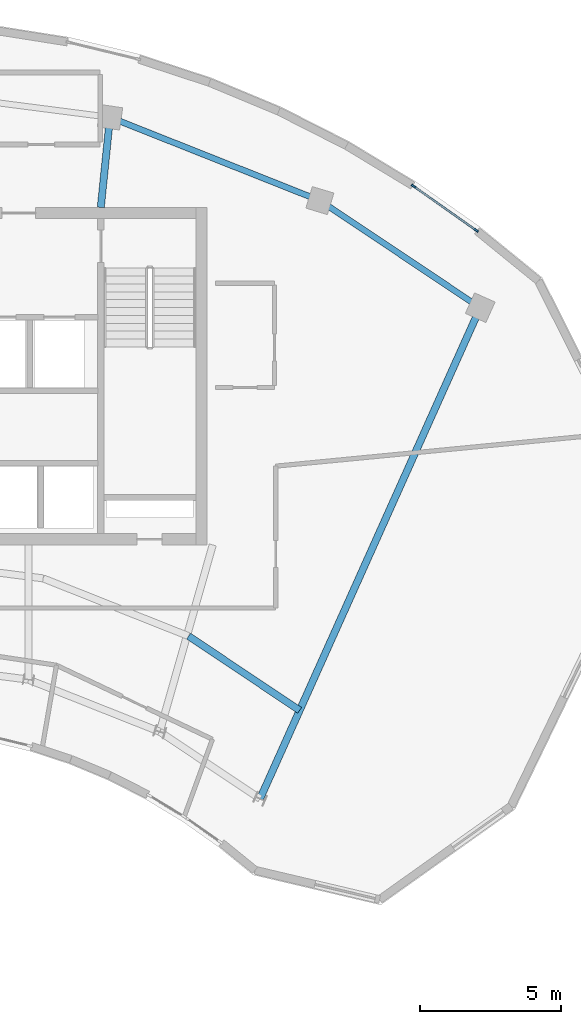
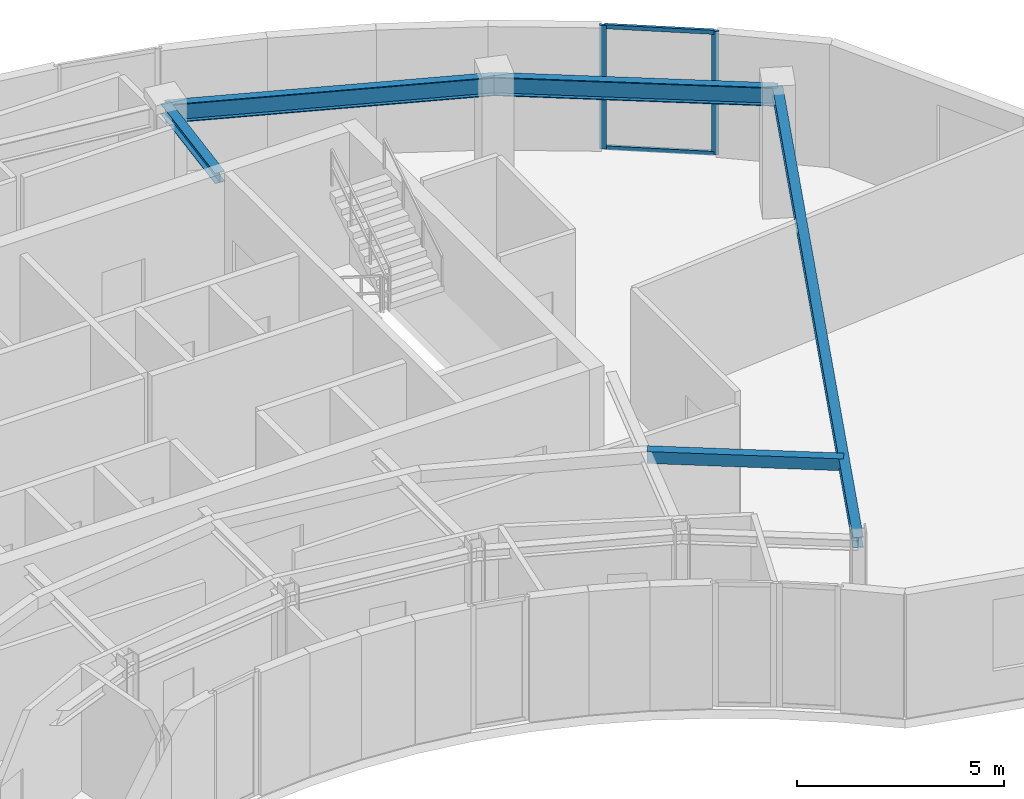
# One storey, part 3 of 11: 5 beams, 4 members, 1 element without a shape of its own.
"""IFC4 building model written with IfcOpenShell, lengths in metres."""

from ifc_helpers import new_model, si_unit, direction, frame, origin, origin_2d, place, context, subcontext, project, spatial, rectangle, hollow_rectangle, i_section, extrude, source, transform, mapped, material, layer, layer_set, material_profile, profile_set, type_object, element, aggregate, save


model = new_model("IFC4")

# Units and contexts
model_context = context("Model", 3, precision=1e-05, world=origin(), true_north=direction((0.0, 1.0)))
body_context = subcontext(model_context, "Body", "Model", "MODEL_VIEW")
ifc_project = project(units=[si_unit("LENGTHUNIT", "METRE"), si_unit("AREAUNIT", "SQUARE_METRE"), si_unit("VOLUMEUNIT", "CUBIC_METRE"), si_unit("PLANEANGLEUNIT", "RADIAN"), si_unit("MASSUNIT", "GRAM", prefix="KILO")], contexts=[model_context])

# Site, building, storey
site_placement = place(None, origin())
site = spatial("IfcSite", under=ifc_project, at=site_placement, CompositionType="ELEMENT")
building_placement = place(site_placement, origin())
building = spatial("IfcBuilding", under=site, at=building_placement, Name="Breltana Convention Tower", CompositionType="ELEMENT")
storey_placement = place(building_placement, frame((0.0, 0.0, 275.699951171875)))
storey = spatial("IfcBuildingStorey", under=building, at=storey_placement, Name="L67", CompositionType="ELEMENT", Elevation=275.699951171875)

# Beams
ifc_material_1 = material(Name="Steel ASTM A992 Grade 50", Category="steel")
ifc_material_profile_1 = material_profile(ifc_material_1, i_section(OverallWidth=0.214111328125, OverallDepth=0.549072265625, WebThickness=0.0146484375, FlangeThickness=0.023681640625, at=origin_2d()), Name="W21X93")
ifc_profile_set_1 = profile_set([ifc_material_profile_1], Name="Steel ASTM A992 Grade 50")
beam_type_1 = type_object("IfcBeamType", Name="BM-SP-W21X93", PredefinedType="SPANDREL", material=ifc_profile_set_1)
shared_shape_1 = source(origin(), body_context, "Body", "SweptSolid", [
    extrude(i_section(OverallWidth=0.214111328125, OverallDepth=0.549072265625, WebThickness=0.0146484375, FlangeThickness=0.023681640625, at=origin_2d()), origin(), (0.0, 0.0, 1.0), 8.028564453125),
])
beam_1_placement = place(storey_placement, frame((55.746826171875, 75.404296875, 3.365478515625), z_axis=(0.929459100394, -0.368925169507, 0.0), x_axis=(0.368925169507, 0.929459100394, 0.0)))
element("IfcBeam", 1, at=beam_1_placement, inside=storey, type_object=beam_type_1, Name="L67 Outer Spandrel Beam 07", PredefinedType="SPANDREL", context=body_context, shape_type="MappedRepresentation", body=[
    mapped(shared_shape_1, transform((0.0, 0.0, 0.0), scale=1.0)),
])
shared_shape_2 = source(origin(), body_context, "Body", "SweptSolid", [
    extrude(i_section(OverallWidth=0.214111328125, OverallDepth=0.549072265625, WebThickness=0.0146484375, FlangeThickness=0.023681640625, at=origin_2d()), origin(), (0.0, 0.0, 1.0), 6.856689453125),
])
beam_2_placement = place(storey_placement, frame((63.208984375, 72.4423828125, 3.365478515625), z_axis=(0.83150210718, -0.55552159792, 0.0), x_axis=(0.55552159792, 0.83150210718, 0.0)))
element("IfcBeam", 2, at=beam_2_placement, inside=storey, type_object=beam_type_1, Name="L67 Outer Spandrel Beam 08", PredefinedType="SPANDREL", context=body_context, shape_type="MappedRepresentation", body=[
    mapped(shared_shape_2, transform((0.0, 0.0, 0.0), scale=1.0)),
])
ifc_material_profile_2 = material_profile(ifc_material_1, i_section(OverallWidth=0.25390625, OverallDepth=0.305908203125, WebThickness=0.0087890625, FlangeThickness=0.0146484375, at=origin_2d()), Name="W12X53")
ifc_profile_set_2 = profile_set([ifc_material_profile_2], Name="Steel ASTM A992 Grade 50")
beam_type_2 = type_object("IfcBeamType", Name="BM-CN-W12X53", PredefinedType="BEAM", material=ifc_profile_set_2)
shared_shape_3 = source(origin(), body_context, "Body", "SweptSolid", [
    extrude(i_section(OverallWidth=0.25390625, OverallDepth=0.305908203125, WebThickness=0.0087890625, FlangeThickness=0.0146484375, at=origin_2d()), origin(), (0.0, 0.0, 1.0), 3.220947265625),
])
beam_3_placement = place(storey_placement, frame((55.419921875, 72.199951171875, 3.487060546875), z_axis=(0.101492254858, 0.994836329355, 0.0), x_axis=(-0.994836329355, 0.101492254858, 0.0)))
element("IfcBeam", 3, at=beam_3_placement, inside=storey, type_object=beam_type_2, Name="L67 North Core Radial Girder R07", PredefinedType="BEAM", context=body_context, shape_type="MappedRepresentation", body=[
    mapped(shared_shape_3, transform((0.0, 0.0, 0.0), scale=1.0)),
])
shared_shape_4 = source(origin(), body_context, "Body", "SweptSolid", [
    extrude(i_section(OverallWidth=0.25390625, OverallDepth=0.305908203125, WebThickness=0.0087890625, FlangeThickness=0.0146484375, at=origin_2d()), origin(), (0.0, 0.0, 1.0), 19.133544921875),
])
beam_4_placement = place(storey_placement, frame((61.08203125, 51.174560546875, 3.487060546875), z_axis=(0.409144564164, 0.912469575172, 0.0), x_axis=(-0.912469575172, 0.409144564164, 0.0)))
element("IfcBeam", 4, at=beam_4_placement, inside=storey, type_object=beam_type_2, Name="L67 Radial Floor Girder R09", PredefinedType="BEAM", context=body_context, shape_type="MappedRepresentation", body=[
    mapped(shared_shape_4, transform((0.0, 0.0, 0.0), scale=1.0)),
])
ifc_material_profile_3 = material_profile(ifc_material_1, hollow_rectangle(XDim=0.25, YDim=0.35009765625, WallThickness=0.011962890625, at=origin_2d()), Name="RHS350X250X12")
ifc_profile_set_3 = profile_set([ifc_material_profile_3], Name="Steel ASTM A992 Grade 50")
beam_type_3 = type_object("IfcBeamType", Name="BM-JSG-12", PredefinedType="JOIST", material=ifc_profile_set_3)
shared_shape_5 = source(origin(), body_context, "Body", "SweptSolid", [
    extrude(hollow_rectangle(XDim=0.25, YDim=0.35009765625, WallThickness=0.011962890625, at=origin_2d()), origin(), (0.0, 0.0, 1.0), 4.751953125),
])
beam_5_placement = place(storey_placement, frame((58.539794921875, 56.956787109375, 3.465087890625), z_axis=(0.831528257555, -0.555482454167, 0.0), x_axis=(0.555482454167, 0.831528257555, 0.0)))
element("IfcBeam", 5, at=beam_5_placement, inside=storey, type_object=beam_type_3, Name="L67 Composite Floor Joist 08.1", PredefinedType="JOIST", context=body_context, shape_type="MappedRepresentation", body=[
    mapped(shared_shape_5, transform((0.0, 0.0, 0.0), scale=1.0)),
])

# Curtain wall, members
ifc_material_2 = material(Name="Aluminium Anodised Bronze Frame", Category="aluminium")
ifc_layer = layer(ifc_material_2, 0.22998046875, Name="Aluminium Anodised Bronze Frame")
ifc_layer_set = layer_set([ifc_layer], Name="Aluminium Anodised Bronze Frame")
curtain_wall_type = type_object("IfcCurtainWallType", Name="CW-SYS-5", PredefinedType="NOTDEFINED", material=ifc_layer_set)
curtain_wall_placement = place(storey_placement, origin())
curtain_wall = element("IfcCurtainWall", 6, at=curtain_wall_placement, inside=storey, type_object=curtain_wall_type, Name="L67 outer double-skin inner glazing 4", PredefinedType="NOTDEFINED")
ifc_material_3 = material(Name="Aluminium Anodised Bronze", Category="aluminium")
ifc_material_profile_4 = material_profile(ifc_material_3, rectangle(XDim=0.070068359375, YDim=0.175048828125, at=origin_2d()), Name="CWM-70X175")
ifc_profile_set_4 = profile_set([ifc_material_profile_4], Name="Aluminium Anodised Bronze")
member_type_1 = type_object("IfcMemberType", Name="CWM-175", PredefinedType="MULLION", material=ifc_profile_set_4)
shared_shape_6 = source(origin(), body_context, "Body", "SweptSolid", [
    extrude(rectangle(XDim=0.070068359375, YDim=0.175048828125, at=origin_2d()), origin(), (0.0, 0.0, 1.0), 3.64013671875),
])
member_1_placement = place(storey_placement, frame((66.5390625, 72.955078125, 0.0), z_axis=(0.0, 0.0, 1.0), x_axis=(0.576234994683, 0.817284057658, 0.0)))
member_1 = element("IfcMember", 7, at=member_1_placement, type_object=member_type_1, Name="CW-05 mullion 1", PredefinedType="MULLION", context=body_context, shape_type="MappedRepresentation", body=[
    mapped(shared_shape_6, transform((0.0, 0.0, 0.0), scale=1.0)),
])
member_2_placement = place(storey_placement, frame((68.76611328125, 71.385009765625, 0.0), z_axis=(0.0, 0.0, 1.0), x_axis=(0.576234994683, 0.817284057658, 0.0)))
member_2 = element("IfcMember", 8, at=member_2_placement, type_object=member_type_1, Name="CW-05 mullion 2", PredefinedType="MULLION", context=body_context, shape_type="MappedRepresentation", body=[
    mapped(shared_shape_6, transform((0.0, 0.0, 0.0), scale=1.0)),
])
ifc_material_profile_5 = material_profile(ifc_material_3, rectangle(XDim=0.070068359375, YDim=0.1201171875, at=origin_2d()), Name="CWT-70X120")
ifc_profile_set_5 = profile_set([ifc_material_profile_5], Name="Aluminium Anodised Bronze")
member_type_2 = type_object("IfcMemberType", Name="CWT-120", PredefinedType="USERDEFINED", material=ifc_profile_set_5)
shared_shape_7 = source(origin(), body_context, "Body", "SweptSolid", [
    extrude(rectangle(XDim=0.070068359375, YDim=0.1201171875, at=origin_2d()), origin(), (0.0, 0.0, 1.0), 2.65478515625),
])
member_3_placement = place(storey_placement, frame((66.567626953125, 72.93505859375, 0.03515625), z_axis=(0.817235368234, -0.576304045541, 0.0), x_axis=(0.576304045541, 0.817235368234, 0.0)))
member_3 = element("IfcMember", 9, at=member_3_placement, type_object=member_type_2, Name="CW-05 transom 1.1", ObjectType="TRANSOM", PredefinedType="USERDEFINED", context=body_context, shape_type="MappedRepresentation", body=[
    mapped(shared_shape_7, transform((0.0, 0.0, 0.0), scale=1.0)),
])
member_4_placement = place(storey_placement, frame((66.567626953125, 72.93505859375, 3.60498046875), z_axis=(0.817235368234, -0.576304045541, 0.0), x_axis=(0.576304045541, 0.817235368234, 0.0)))
member_4 = element("IfcMember", 10, at=member_4_placement, type_object=member_type_2, Name="CW-05 transom 1.2", ObjectType="TRANSOM", PredefinedType="USERDEFINED", context=body_context, shape_type="MappedRepresentation", body=[
    mapped(shared_shape_7, transform((0.0, 0.0, 0.0), scale=1.0)),
])
aggregate(curtain_wall, [member_1, member_2, member_3, member_4])

save(model, "model.ifc")
